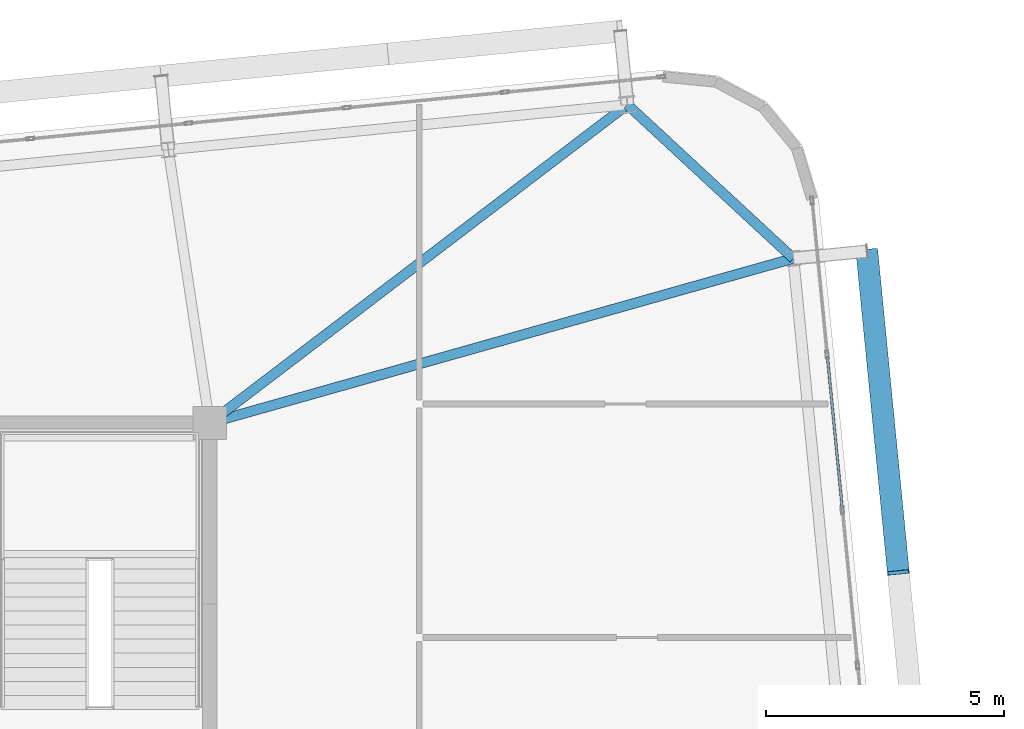
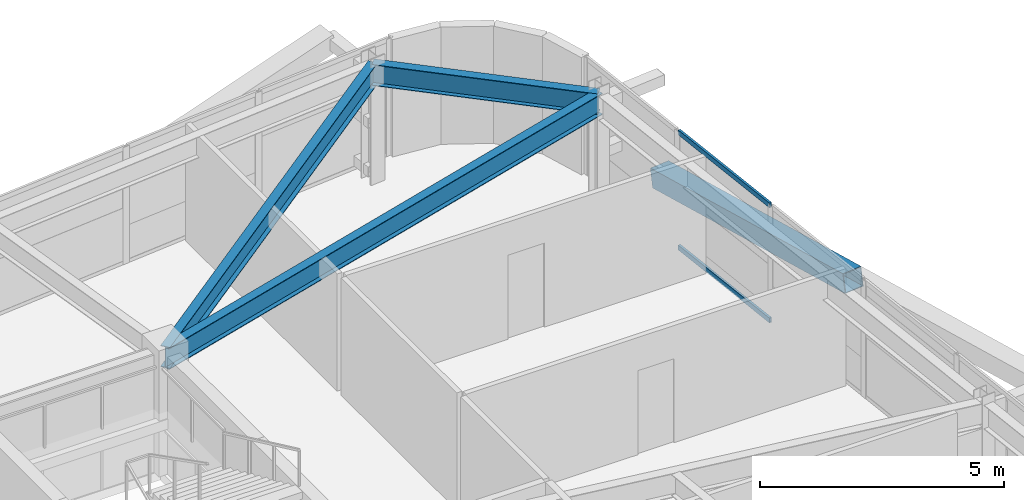
# One storey, part 34 of 53: 3 beams, 3 members, 1 element without a shape of its own.
"""IFC4 building model written with IfcOpenShell, lengths in metres."""

from ifc_helpers import new_model, si_unit, direction, frame, origin, origin_2d, place, context, subcontext, project, spatial, hollow_rectangle, i_section, extrude, source, transform, mapped, material, layer, layer_set, material_profile, profile_set, type_object, element, aggregate, save


model = new_model("IFC4")

# Units and contexts
model_context = context("Model", 3, precision=1e-05, world=origin(), true_north=direction((0.0, 1.0)))
body_context = subcontext(model_context, "Body", "Model", "MODEL_VIEW")
ifc_project = project(units=[si_unit("LENGTHUNIT", "METRE"), si_unit("AREAUNIT", "SQUARE_METRE"), si_unit("VOLUMEUNIT", "CUBIC_METRE"), si_unit("PLANEANGLEUNIT", "RADIAN"), si_unit("MASSUNIT", "GRAM", prefix="KILO")], contexts=[model_context])

# Site, building, storey
site_placement = place(None, origin())
site = spatial("IfcSite", under=ifc_project, at=site_placement, CompositionType="ELEMENT")
building_placement = place(site_placement, origin())
building = spatial("IfcBuilding", under=site, at=building_placement, Name="Taldren Reach Tower", CompositionType="ELEMENT")
storey_placement = place(building_placement, frame((0.0, 0.0, 68.25)))
storey = spatial("IfcBuildingStorey", under=building, at=storey_placement, Name="L20", CompositionType="ELEMENT", Elevation=68.25)

# Beams
ifc_material_1 = material(Name="Steel Gr 350 (350PLUS)", Category="steel")
ifc_material_profile_1 = material_profile(ifc_material_1, i_section(OverallWidth=0.208984375, OverallDepth=0.528076171875, WebThickness=0.009521484375, FlangeThickness=0.01318359375, at=origin_2d()), Name="530UB82.0")
ifc_profile_set_1 = profile_set([ifc_material_profile_1], Name="Steel Gr 350 (350PLUS)")
beam_type_1 = type_object("IfcBeamType", Name="SP-UB530B", PredefinedType="SPANDREL", material=ifc_profile_set_1)
shared_shape_1 = source(origin(), body_context, "Body", "SweptSolid", [
    extrude(i_section(OverallWidth=0.208984375, OverallDepth=0.528076171875, WebThickness=0.009521484375, FlangeThickness=0.01318359375, at=origin_2d()), origin(), (0.0, 0.0, 1.0), 4.74609375),
])
beam_1_placement = place(storey_placement, frame((63.247314453125, 35.454345703125, 2.666015625), z_axis=(-0.733547883762, 0.679637772809, 0.0), x_axis=(-0.679637772809, -0.733547883762, 0.0)))
element("IfcBeam", 1, at=beam_1_placement, inside=storey, type_object=beam_type_1, Name="Perimeter spandrel B2 E3-N6 L20", PredefinedType="SPANDREL", context=body_context, shape_type="MappedRepresentation", body=[
    mapped(shared_shape_1, transform((0.0, 0.0, 0.0), scale=1.0)),
])
ifc_material_profile_2 = material_profile(ifc_material_1, i_section(OverallWidth=0.208984375, OverallDepth=0.532958984375, WebThickness=0.01025390625, FlangeThickness=0.015625, at=origin_2d()), Name="530UB92.4")
ifc_profile_set_2 = profile_set([ifc_material_profile_2], Name="Steel Gr 350 (350PLUS)")
beam_type_2 = type_object("IfcBeamType", Name="BM-UB530A", PredefinedType="BEAM", material=ifc_profile_set_2)
shared_shape_2 = source(origin(), body_context, "Body", "SweptSolid", [
    extrude(i_section(OverallWidth=0.208984375, OverallDepth=0.532958984375, WebThickness=0.01025390625, FlangeThickness=0.015625, at=origin_2d()), origin(), (0.0, 0.0, 1.0), 12.72509765625),
])
beam_2_placement = place(storey_placement, frame((51.0, 32.0, 2.66357421875), z_axis=(0.962450190096, 0.271458342264, 0.0), x_axis=(-0.271458342264, 0.962450190096, 0.0)))
element("IfcBeam", 2, at=beam_2_placement, inside=storey, type_object=beam_type_2, Name="Primary floor girder B2-E3 L20", PredefinedType="BEAM", context=body_context, shape_type="MappedRepresentation", body=[
    mapped(shared_shape_2, transform((0.0, 0.0, 0.0), scale=1.0)),
])
shared_shape_3 = source(origin(), body_context, "Body", "SweptSolid", [
    extrude(i_section(OverallWidth=0.208984375, OverallDepth=0.532958984375, WebThickness=0.01025390625, FlangeThickness=0.015625, at=origin_2d()), origin(), (0.0, 0.0, 1.0), 11.02099609375),
])
beam_3_placement = place(storey_placement, frame((51.0, 32.0, 2.66357421875), z_axis=(0.795380356763, 0.606110623629, 0.0), x_axis=(-0.606110623629, 0.795380356763, 0.0)))
element("IfcBeam", 3, at=beam_3_placement, inside=storey, type_object=beam_type_2, Name="Primary floor girder B2-N6 L20", PredefinedType="BEAM", context=body_context, shape_type="MappedRepresentation", body=[
    mapped(shared_shape_3, transform((0.0, 0.0, 0.0), scale=1.0)),
])

# Member
ifc_material_2 = material(Name="Steel Gr 450 (C450L0)", Category="steel")
ifc_material_profile_3 = material_profile(ifc_material_2, hollow_rectangle(XDim=0.4599609375, YDim=0.4599609375, WallThickness=0.01611328125, at=origin_2d()), Name="460x460x16.0SHS")
ifc_profile_set_3 = profile_set([ifc_material_profile_3], Name="Steel Gr 450 (C450L0)")
member_type_1 = type_object("IfcMemberType", Name="MB-EXO457", PredefinedType="BRACE", material=ifc_profile_set_3)
shared_shape_4 = source(origin(), body_context, "Body", "SweptSolid", [
    extrude(hollow_rectangle(XDim=0.4599609375, YDim=0.4599609375, WallThickness=0.01611328125, at=origin_2d()), origin(), (0.0, 0.0, 1.0), 6.883056640625),
])
member_1_placement = place(storey_placement, frame((64.789794921875, 35.60546875, 0.219970703125), z_axis=(0.09605145821, -0.97959718347, 0.176531797456), x_axis=(0.995227290009, 0.097584021339, 0.0)))
element("IfcMember", 4, at=member_1_placement, inside=storey, type_object=member_type_1, Name="Exoskeleton Diagrid Brace B2-E2 L20", PredefinedType="BRACE", context=body_context, shape_type="MappedRepresentation", body=[
    mapped(shared_shape_4, transform((0.0, 0.0, 0.0), scale=1.0)),
])

# Curtain wall, members
ifc_material_3 = material(Name="Aluminium and Low-E Glass Unitised System", Category="aluminium")
ifc_layer = layer(ifc_material_3, 0.159912109375)
ifc_layer_set = layer_set([ifc_layer], Name="Aluminium and Low-E Glass Unitised System")
curtain_wall_type = type_object("IfcCurtainWallType", Name="CW-SYS-3", PredefinedType="NOTDEFINED", material=ifc_layer_set)
curtain_wall_placement = place(storey_placement, origin())
curtain_wall = element("IfcCurtainWall", 5, at=curtain_wall_placement, inside=storey, type_object=curtain_wall_type, Name="Unitised curtain wall CW-L20-E", PredefinedType="NOTDEFINED")
ifc_material_4 = material(Name="Anodised Aluminium 6063-T6", Category="aluminium")
ifc_material_profile_4 = material_profile(ifc_material_4, hollow_rectangle(XDim=0.054931640625, YDim=0.1201171875, WallThickness=0.0029296875, at=origin_2d()), Name="ALU-120x55x3RHS")
ifc_profile_set_4 = profile_set([ifc_material_profile_4], Name="Anodised Aluminium 6063-T6")
member_type_2 = type_object("IfcMemberType", Name="CW-TRN-135", PredefinedType="USERDEFINED", material=ifc_profile_set_4)
shared_shape_5 = source(origin(), body_context, "Body", "SweptSolid", [
    extrude(hollow_rectangle(XDim=0.054931640625, YDim=0.1201171875, WallThickness=0.0029296875, at=origin_2d()), origin(), (0.0, 0.0, 1.0), 3.212890625),
])
member_2_placement = place(storey_placement, frame((64.274169921875, 30.206298828125, 0.027587890625), z_axis=(-0.097569948235, 0.995228669805, 0.0), x_axis=(-0.995228669805, -0.097569948235, 0.0)))
member_2 = element("IfcMember", 6, at=member_2_placement, type_object=member_type_2, Name="CW-3 transom 8.1", ObjectType="TRANSOM", PredefinedType="USERDEFINED", context=body_context, shape_type="MappedRepresentation", body=[
    mapped(shared_shape_5, transform((0.0, 0.0, 0.0), scale=1.0)),
])
member_3_placement = place(storey_placement, frame((64.274169921875, 30.206298828125, 2.902587890625), z_axis=(-0.097569948235, 0.995228669805, 0.0), x_axis=(-0.995228669805, -0.097569948235, 0.0)))
member_3 = element("IfcMember", 7, at=member_3_placement, type_object=member_type_2, Name="CW-3 transom 8.2", ObjectType="TRANSOM", PredefinedType="USERDEFINED", context=body_context, shape_type="MappedRepresentation", body=[
    mapped(shared_shape_5, transform((0.0, 0.0, 0.0), scale=1.0)),
])
aggregate(curtain_wall, [member_2, member_3])

save(model, "model.ifc")
